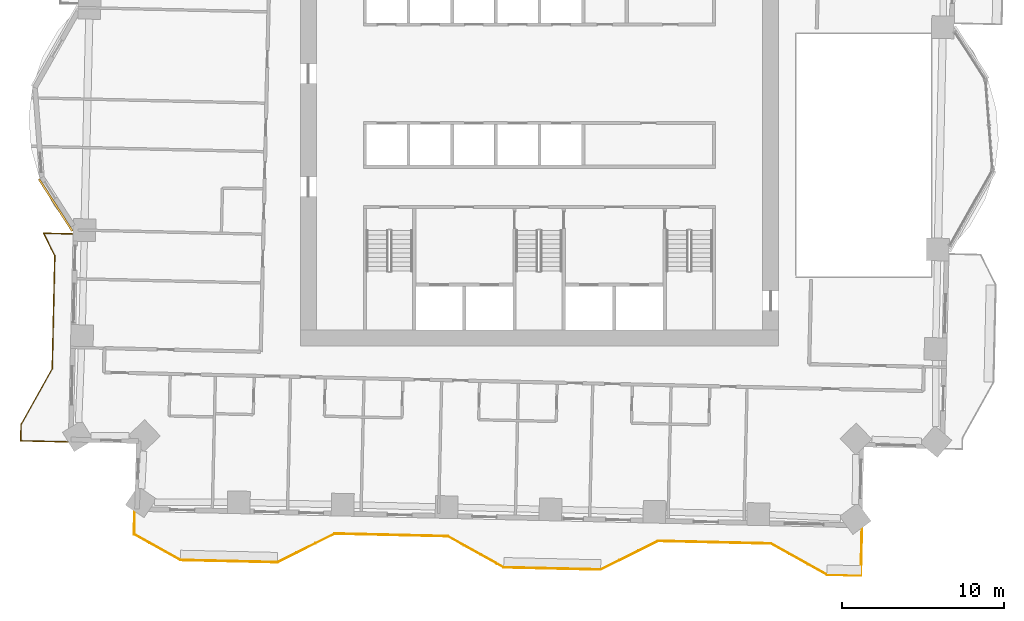
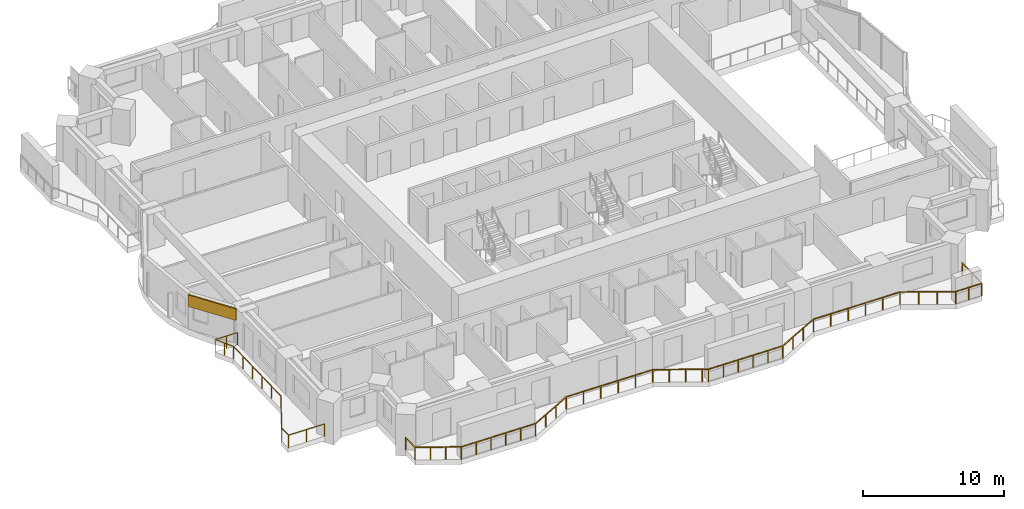
# One storey, part 13 of 16: 2 railings, 1 covering.
"""IFC4 building model written with IfcOpenShell, lengths in metres."""

from ifc_helpers import new_model, si_unit, direction, frame, frame_2d, origin, origin_2d, place, context, subcontext, project, spatial, rectangle, extrude, material, layer, layer_set, type_object, element, save


model = new_model("IFC4")

# Units and contexts
model_context = context("Model", 3, precision=1e-05, world=origin(), true_north=direction((0.0, 1.0)))
body_context = subcontext(model_context, "Body", "Model", "MODEL_VIEW")
ifc_project = project(units=[si_unit("LENGTHUNIT", "METRE"), si_unit("AREAUNIT", "SQUARE_METRE"), si_unit("VOLUMEUNIT", "CUBIC_METRE"), si_unit("PLANEANGLEUNIT", "RADIAN"), si_unit("MASSUNIT", "GRAM", prefix="KILO")], contexts=[model_context])

# Site, building, storey
site_placement = place(None, origin())
site = spatial("IfcSite", under=ifc_project, at=site_placement, CompositionType="ELEMENT")
building_placement = place(site_placement, origin())
building = spatial("IfcBuilding", under=site, at=building_placement, Name="Mangrove Gate Tower", CompositionType="ELEMENT")
storey_placement = place(building_placement, frame((0.0, 0.0, 109.10009765625)))
storey = spatial("IfcBuildingStorey", under=building, at=storey_placement, Name="L27", CompositionType="ELEMENT", Elevation=109.10009765625)

# Railings
ifc_material_1 = material(Name="Stainless steel grade 316 with laminated glass infill", Category="steel")
railing_type = type_object("IfcRailingType", Name="Balcony guard 1100", PredefinedType="GUARDRAIL", material=ifc_material_1)
railing_1_placement = place(storey_placement, frame((-28.89892578125, -4.85791015625, 0.0)))
element("IfcRailing", 1, at=railing_1_placement, inside=storey, type_object=railing_type, Name="GUARD L27 W2", PredefinedType="GUARDRAIL", context=body_context, shape_type="SweptSolid", body=[
    extrude(rectangle(XDim=0.048095703125, YDim=0.048095703125, at=origin_2d()), frame((0.0, 0.0, 1.076171875), z_axis=(-0.999736446094, 0.022957315875, 0.0), x_axis=(-0.022957315875, -0.999736446094, 0.0)), (0.0, 0.0, 1.0), 1.78662109375),
    extrude(rectangle(XDim=0.048095703125, YDim=0.048095703125, at=origin_2d()), frame((-1.7861328125, 0.041015625, 1.076171875), z_axis=(0.4469623872, -0.89455275106, 0.0), x_axis=(0.89455275106, 0.4469623872, 0.0)), (0.0, 0.0, 1.0), 1.55517578125),
    extrude(rectangle(XDim=0.048095703125, YDim=0.048095703125, at=origin_2d()), frame((-1.091064453125, -1.35009765625, 1.076171875), z_axis=(-0.022566119286, -0.999745352708, 0.0), x_axis=(0.999745352708, -0.022566119286, 0.0)), (0.0, 0.0, 1.0), 6.999755859375),
    extrude(rectangle(XDim=0.048095703125, YDim=0.048095703125, at=origin_2d()), frame((-1.2490234375, -8.34814453125, 1.076171875), z_axis=(-0.48726008209, -0.87325689943, 0.0), x_axis=(0.87325689943, -0.48726008209, 0.0)), (0.0, 0.0, 1.0), 3.958740234375),
    extrude(rectangle(XDim=0.048095703125, YDim=0.048095703125, at=origin_2d()), frame((-3.177978515625, -11.80517578125, 1.076171875), z_axis=(-0.023187123667, -0.999731142506, 0.0), x_axis=(0.999731142506, -0.023187123667, 0.0)), (0.0, 0.0, 1.0), 1.000244140625),
    extrude(rectangle(XDim=0.048095703125, YDim=0.048095703125, at=origin_2d()), frame((-3.201171875, -12.80517578125, 1.076171875), z_axis=(0.999743392495, -0.022652795902, 0.0), x_axis=(0.022652795902, 0.999743392495, 0.0)), (0.0, 0.0, 1.0), 2.909912109375),
    extrude(rectangle(XDim=0.0419921875, YDim=0.0419921875, at=origin_2d()), origin(), (0.0, 0.0, 1.0), 1.052001953125),
    extrude(rectangle(XDim=0.0419921875, YDim=0.0419921875, at=origin_2d()), frame((-0.89306640625, 0.0205078125, 0.0)), (0.0, 0.0, 1.0), 1.052001953125),
    extrude(rectangle(XDim=0.0419921875, YDim=0.0419921875, at=origin_2d()), frame((-1.7861328125, 0.041015625, 0.0)), (0.0, 0.0, 1.0), 1.052001953125),
    extrude(rectangle(XDim=0.0419921875, YDim=0.0419921875, at=origin_2d()), frame((-1.4384765625, -0.654541015625, 0.0)), (0.0, 0.0, 1.0), 1.052001953125),
    extrude(rectangle(XDim=0.0419921875, YDim=0.0419921875, at=origin_2d()), frame((-1.091064453125, -1.35009765625, 0.0)), (0.0, 0.0, 1.0), 1.052001953125),
    extrude(rectangle(XDim=0.0419921875, YDim=0.0419921875, at=origin_2d()), frame((-1.12255859375, -2.749755859375, 0.0)), (0.0, 0.0, 1.0), 1.052001953125),
    extrude(rectangle(XDim=0.0419921875, YDim=0.0419921875, at=origin_2d()), frame((-1.154296875, -4.1494140625, 0.0)), (0.0, 0.0, 1.0), 1.052001953125),
    extrude(rectangle(XDim=0.0419921875, YDim=0.0419921875, at=origin_2d()), frame((-1.185791015625, -5.548828125, 0.0)), (0.0, 0.0, 1.0), 1.052001953125),
    extrude(rectangle(XDim=0.0419921875, YDim=0.0419921875, at=origin_2d()), frame((-1.217529296875, -6.948486328125, 0.0)), (0.0, 0.0, 1.0), 1.052001953125),
    extrude(rectangle(XDim=0.0419921875, YDim=0.0419921875, at=origin_2d()), frame((-1.2490234375, -8.34814453125, 0.0)), (0.0, 0.0, 1.0), 1.052001953125),
    extrude(rectangle(XDim=0.0419921875, YDim=0.0419921875, at=origin_2d()), frame((-1.89208984375, -9.50048828125, 0.0)), (0.0, 0.0, 1.0), 1.052001953125),
    extrude(rectangle(XDim=0.0419921875, YDim=0.0419921875, at=origin_2d()), frame((-2.534912109375, -10.65283203125, 0.0)), (0.0, 0.0, 1.0), 1.052001953125),
    extrude(rectangle(XDim=0.0419921875, YDim=0.0419921875, at=origin_2d()), frame((-3.177978515625, -11.80517578125, 0.0)), (0.0, 0.0, 1.0), 1.052001953125),
    extrude(rectangle(XDim=0.0419921875, YDim=0.0419921875, at=origin_2d()), frame((-3.201171875, -12.80517578125, 0.0)), (0.0, 0.0, 1.0), 1.052001953125),
    extrude(rectangle(XDim=0.0419921875, YDim=0.0419921875, at=origin_2d()), frame((-1.74658203125, -12.838134765625, 0.0)), (0.0, 0.0, 1.0), 1.052001953125),
    extrude(rectangle(XDim=0.0419921875, YDim=0.0419921875, at=origin_2d()), frame((-0.2919921875, -12.87109375, 0.0)), (0.0, 0.0, 1.0), 1.052001953125),
])
railing_2_placement = place(storey_placement, frame((-25.048095703125, -22.06396484375, 0.0)))
element("IfcRailing", 2, at=railing_2_placement, inside=storey, type_object=railing_type, Name="GUARD L27 S1", PredefinedType="GUARDRAIL", context=body_context, shape_type="SweptSolid", body=[
    extrude(rectangle(XDim=0.048095703125, YDim=0.048095703125, at=origin_2d()), frame((0.0, 0.0, 1.076171875), z_axis=(-0.022543984946, -0.999745852076, 0.0), x_axis=(0.999745852076, -0.022543984946, 0.0)), (0.0, 0.0, 1.0), 1.375244140625),
    extrude(rectangle(XDim=0.048095703125, YDim=0.048095703125, at=origin_2d()), frame((-0.031005859375, -1.375, 1.076171875), z_axis=(0.873293325089, -0.487194795083, 0.0), x_axis=(0.487194795083, 0.873293325089, 0.0)), (0.0, 0.0, 1.0), 3.284423828125),
    extrude(rectangle(XDim=0.048095703125, YDim=0.048095703125, at=origin_2d()), frame((2.837158203125, -2.97509765625, 1.076171875), z_axis=(0.999743178102, -0.022662255828, 0.0), x_axis=(0.022662255828, 0.999743178102, 0.0)), (0.0, 0.0, 1.0), 6.00048828125),
    extrude(rectangle(XDim=0.048095703125, YDim=0.048095703125, at=origin_2d()), frame((8.836181640625, -3.111083984375, 1.076171875), z_axis=(0.894476522376, 0.447114919141, 0.0), x_axis=(-0.447114919141, 0.894476522376, 0.0)), (0.0, 0.0, 1.0), 3.958740234375),
    extrude(rectangle(XDim=0.048095703125, YDim=0.048095703125, at=origin_2d()), frame((12.377197265625, -1.341064453125, 1.076171875), z_axis=(0.999742177561, -0.022706351659, 0.0), x_axis=(0.022706351659, 0.999742177561, 0.0)), (0.0, 0.0, 1.0), 6.99951171875),
    extrude(rectangle(XDim=0.048095703125, YDim=0.048095703125, at=origin_2d()), frame((19.375, -1.5, 1.076171875), z_axis=(0.873203214325, -0.487356282911, 0.0), x_axis=(0.487356282911, 0.873203214325, 0.0)), (0.0, 0.0, 1.0), 3.506591796875),
    extrude(rectangle(XDim=0.048095703125, YDim=0.048095703125, at=origin_2d()), frame((22.43701171875, -3.208984375, 1.076171875), z_axis=(0.873672905931, -0.486513775182, 0.0), x_axis=(0.486513775182, 0.873672905931, 0.0)), (0.0, 0.0, 1.0), 0.4521484375),
    extrude(rectangle(XDim=0.048095703125, YDim=0.048095703125, at=origin_2d()), frame((22.83203125, -3.428955078125, 1.076171875), z_axis=(0.999743178102, -0.022662255828, 0.0), x_axis=(0.022662255828, 0.999743178102, 0.0)), (0.0, 0.0, 1.0), 6.00048828125),
    extrude(rectangle(XDim=0.048095703125, YDim=0.048095703125, at=origin_2d()), frame((28.8310546875, -3.56494140625, 1.076171875), z_axis=(0.894476522376, 0.447114919141, 0.0), x_axis=(-0.447114919141, 0.894476522376, 0.0)), (0.0, 0.0, 1.0), 3.958740234375),
    extrude(rectangle(XDim=0.048095703125, YDim=0.048095703125, at=origin_2d()), frame((32.3720703125, -1.794921875, 1.076171875), z_axis=(0.999741403216, -0.022740419861, 0.0), x_axis=(0.022740419861, 0.999741403216, 0.0)), (0.0, 0.0, 1.0), 6.999755859375),
    extrude(rectangle(XDim=0.048095703125, YDim=0.048095703125, at=origin_2d()), frame((39.3701171875, -1.9541015625, 1.076171875), z_axis=(0.87325689943, -0.48726008209, 0.0), x_axis=(0.48726008209, 0.87325689943, 0.0)), (0.0, 0.0, 1.0), 3.958740234375),
    extrude(rectangle(XDim=0.048095703125, YDim=0.048095703125, at=origin_2d()), frame((42.8271484375, -3.883056640625, 1.076171875), z_axis=(0.999751686151, -0.022283761753, 0.0), x_axis=(0.022283761753, 0.999751686151, 0.0)), (0.0, 0.0, 1.0), 2.103515625),
    extrude(rectangle(XDim=0.048095703125, YDim=0.048095703125, at=origin_2d()), frame((44.93017578125, -3.929931640625, 1.076171875), z_axis=(0.022654696127, 0.999743349437, 0.0), x_axis=(-0.999743349437, 0.022654696127, 0.0)), (0.0, 0.0, 1.0), 2.90966796875),
    extrude(rectangle(XDim=0.0419921875, YDim=0.0419921875, at=origin_2d()), origin(), (0.0, 0.0, 1.0), 1.052001953125),
    extrude(rectangle(XDim=0.0419921875, YDim=0.0419921875, at=origin_2d()), frame((-0.031005859375, -1.375, 0.0)), (0.0, 0.0, 1.0), 1.052001953125),
    extrude(rectangle(XDim=0.0419921875, YDim=0.0419921875, at=origin_2d()), frame((0.925048828125, -1.908447265625, 0.0)), (0.0, 0.0, 1.0), 1.052001953125),
    extrude(rectangle(XDim=0.0419921875, YDim=0.0419921875, at=origin_2d()), frame((1.881103515625, -2.441650390625, 0.0)), (0.0, 0.0, 1.0), 1.052001953125),
    extrude(rectangle(XDim=0.0419921875, YDim=0.0419921875, at=origin_2d()), frame((2.837158203125, -2.97509765625, 0.0)), (0.0, 0.0, 1.0), 1.052001953125),
    extrude(rectangle(XDim=0.0419921875, YDim=0.0419921875, at=origin_2d()), frame((4.036865234375, -3.002197265625, 0.0)), (0.0, 0.0, 1.0), 1.052001953125),
    extrude(rectangle(XDim=0.0419921875, YDim=0.0419921875, at=origin_2d()), frame((5.23681640625, -3.029541015625, 0.0)), (0.0, 0.0, 1.0), 1.052001953125),
    extrude(rectangle(XDim=0.0419921875, YDim=0.0419921875, at=origin_2d()), frame((6.4365234375, -3.056640625, 0.0)), (0.0, 0.0, 1.0), 1.052001953125),
    extrude(rectangle(XDim=0.0419921875, YDim=0.0419921875, at=origin_2d()), frame((7.636474609375, -3.083984375, 0.0)), (0.0, 0.0, 1.0), 1.052001953125),
    extrude(rectangle(XDim=0.0419921875, YDim=0.0419921875, at=origin_2d()), frame((8.836181640625, -3.111083984375, 0.0)), (0.0, 0.0, 1.0), 1.052001953125),
    extrude(rectangle(XDim=0.0419921875, YDim=0.0419921875, at=origin_2d()), frame((10.0166015625, -2.52099609375, 0.0)), (0.0, 0.0, 1.0), 1.052001953125),
    extrude(rectangle(XDim=0.0419921875, YDim=0.0419921875, at=origin_2d()), frame((11.19677734375, -1.93115234375, 0.0)), (0.0, 0.0, 1.0), 1.052001953125),
    extrude(rectangle(XDim=0.0419921875, YDim=0.0419921875, at=origin_2d()), frame((12.377197265625, -1.341064453125, 0.0)), (0.0, 0.0, 1.0), 1.052001953125),
    extrude(rectangle(XDim=0.0419921875, YDim=0.0419921875, at=origin_2d()), frame((13.77685546875, -1.372802734375, 0.0)), (0.0, 0.0, 1.0), 1.052001953125),
    extrude(rectangle(XDim=0.0419921875, YDim=0.0419921875, at=origin_2d()), frame((15.17626953125, -1.404541015625, 0.0)), (0.0, 0.0, 1.0), 1.052001953125),
    extrude(rectangle(XDim=0.0419921875, YDim=0.0419921875, at=origin_2d()), frame((16.575927734375, -1.4365234375, 0.0)), (0.0, 0.0, 1.0), 1.052001953125),
    extrude(rectangle(XDim=0.0419921875, YDim=0.0419921875, at=origin_2d()), frame((17.975341796875, -1.46826171875, 0.0)), (0.0, 0.0, 1.0), 1.052001953125),
    extrude(rectangle(XDim=0.0419921875, YDim=0.0419921875, at=origin_2d()), frame((19.375, -1.5, 0.0)), (0.0, 0.0, 1.0), 1.052001953125),
    extrude(rectangle(XDim=0.0419921875, YDim=0.0419921875, at=origin_2d()), frame((20.395751953125, -2.069580078125, 0.0)), (0.0, 0.0, 1.0), 1.052001953125),
    extrude(rectangle(XDim=0.0419921875, YDim=0.0419921875, at=origin_2d()), frame((21.416259765625, -2.639404296875, 0.0)), (0.0, 0.0, 1.0), 1.052001953125),
    extrude(rectangle(XDim=0.0419921875, YDim=0.0419921875, at=origin_2d()), frame((22.43701171875, -3.208984375, 0.0)), (0.0, 0.0, 1.0), 1.052001953125),
    extrude(rectangle(XDim=0.0419921875, YDim=0.0419921875, at=origin_2d()), frame((22.83203125, -3.428955078125, 0.0)), (0.0, 0.0, 1.0), 1.052001953125),
    extrude(rectangle(XDim=0.0419921875, YDim=0.0419921875, at=origin_2d()), frame((24.03173828125, -3.4560546875, 0.0)), (0.0, 0.0, 1.0), 1.052001953125),
    extrude(rectangle(XDim=0.0419921875, YDim=0.0419921875, at=origin_2d()), frame((25.231689453125, -3.4833984375, 0.0)), (0.0, 0.0, 1.0), 1.052001953125),
    extrude(rectangle(XDim=0.0419921875, YDim=0.0419921875, at=origin_2d()), frame((26.431396484375, -3.510498046875, 0.0)), (0.0, 0.0, 1.0), 1.052001953125),
    extrude(rectangle(XDim=0.0419921875, YDim=0.0419921875, at=origin_2d()), frame((27.63134765625, -3.537841796875, 0.0)), (0.0, 0.0, 1.0), 1.052001953125),
    extrude(rectangle(XDim=0.0419921875, YDim=0.0419921875, at=origin_2d()), frame((28.8310546875, -3.56494140625, 0.0)), (0.0, 0.0, 1.0), 1.052001953125),
    extrude(rectangle(XDim=0.0419921875, YDim=0.0419921875, at=origin_2d()), frame((30.011474609375, -2.974853515625, 0.0)), (0.0, 0.0, 1.0), 1.052001953125),
    extrude(rectangle(XDim=0.0419921875, YDim=0.0419921875, at=origin_2d()), frame((31.191650390625, -2.385009765625, 0.0)), (0.0, 0.0, 1.0), 1.052001953125),
    extrude(rectangle(XDim=0.0419921875, YDim=0.0419921875, at=origin_2d()), frame((32.3720703125, -1.794921875, 0.0)), (0.0, 0.0, 1.0), 1.052001953125),
    extrude(rectangle(XDim=0.0419921875, YDim=0.0419921875, at=origin_2d()), frame((33.771728515625, -1.82666015625, 0.0)), (0.0, 0.0, 1.0), 1.052001953125),
    extrude(rectangle(XDim=0.0419921875, YDim=0.0419921875, at=origin_2d()), frame((35.17138671875, -1.858642578125, 0.0)), (0.0, 0.0, 1.0), 1.052001953125),
    extrude(rectangle(XDim=0.0419921875, YDim=0.0419921875, at=origin_2d()), frame((36.57080078125, -1.890380859375, 0.0)), (0.0, 0.0, 1.0), 1.052001953125),
    extrude(rectangle(XDim=0.0419921875, YDim=0.0419921875, at=origin_2d()), frame((37.970458984375, -1.92236328125, 0.0)), (0.0, 0.0, 1.0), 1.052001953125),
    extrude(rectangle(XDim=0.0419921875, YDim=0.0419921875, at=origin_2d()), frame((39.3701171875, -1.9541015625, 0.0)), (0.0, 0.0, 1.0), 1.052001953125),
    extrude(rectangle(XDim=0.0419921875, YDim=0.0419921875, at=origin_2d()), frame((40.5224609375, -2.59716796875, 0.0)), (0.0, 0.0, 1.0), 1.052001953125),
    extrude(rectangle(XDim=0.0419921875, YDim=0.0419921875, at=origin_2d()), frame((41.6748046875, -3.239990234375, 0.0)), (0.0, 0.0, 1.0), 1.052001953125),
    extrude(rectangle(XDim=0.0419921875, YDim=0.0419921875, at=origin_2d()), frame((42.8271484375, -3.883056640625, 0.0)), (0.0, 0.0, 1.0), 1.052001953125),
    extrude(rectangle(XDim=0.0419921875, YDim=0.0419921875, at=origin_2d()), frame((43.878662109375, -3.906494140625, 0.0)), (0.0, 0.0, 1.0), 1.052001953125),
    extrude(rectangle(XDim=0.0419921875, YDim=0.0419921875, at=origin_2d()), frame((44.93017578125, -3.929931640625, 0.0)), (0.0, 0.0, 1.0), 1.052001953125),
    extrude(rectangle(XDim=0.0419921875, YDim=0.0419921875, at=origin_2d()), frame((44.963134765625, -2.4755859375, 0.0)), (0.0, 0.0, 1.0), 1.052001953125),
    extrude(rectangle(XDim=0.0419921875, YDim=0.0419921875, at=origin_2d()), frame((44.99609375, -1.02099609375, 0.0)), (0.0, 0.0, 1.0), 1.052001953125),
])

# Covering
ifc_material_2 = material(Name="Limestone", Category="masonry")
ifc_layer_1 = layer(ifc_material_2, 0.0400390625, Name="Limestone cladding")
ifc_material_3 = material(Name="Stainless steel anchors and cavity", Category="steel")
ifc_layer_2 = layer(ifc_material_3, 0.080078125, Name="Fixing cavity")
ifc_layer_set = layer_set([ifc_layer_1, ifc_layer_2], Name="Joint fascia cladding 120")
covering_type = type_object("IfcCoveringType", Name="Joint fascia cladding 120", PredefinedType="CLADDING", material=ifc_layer_set)
covering_placement = place(storey_placement, frame((-30.962890625, -1.47412109375, 2.0498046875), z_axis=(0.0, 0.0, 1.0), x_axis=(0.540486138148, -0.841352919095, 0.0)))
element("IfcCovering", 3, at=covering_placement, inside=storey, type_object=covering_type, Name="STONE FASCIA L27 W9.L2", PredefinedType="CLADDING", context=body_context, shape_type="SweptSolid", body=[
    extrude(rectangle(XDim=3.818603515625, YDim=0.1201171875, at=frame_2d((1.9091796875, 0.0))), origin(), (0.0, 0.0, 1.0), 1.0),
])

save(model, "model.ifc")
